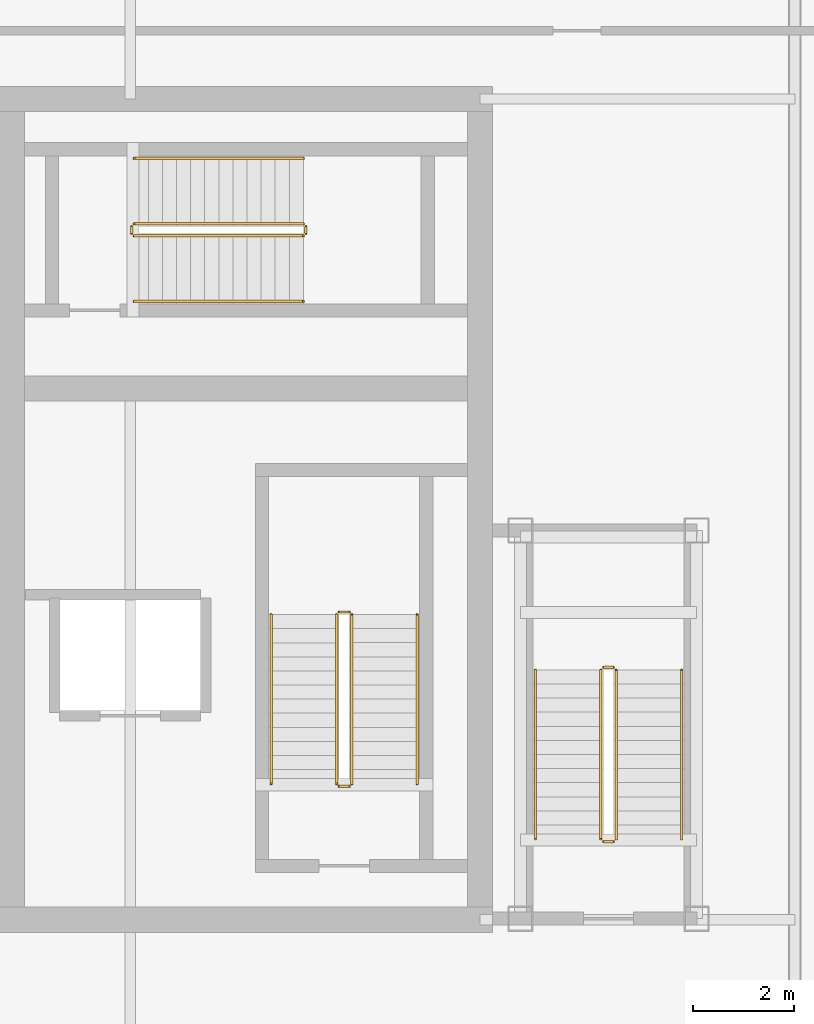
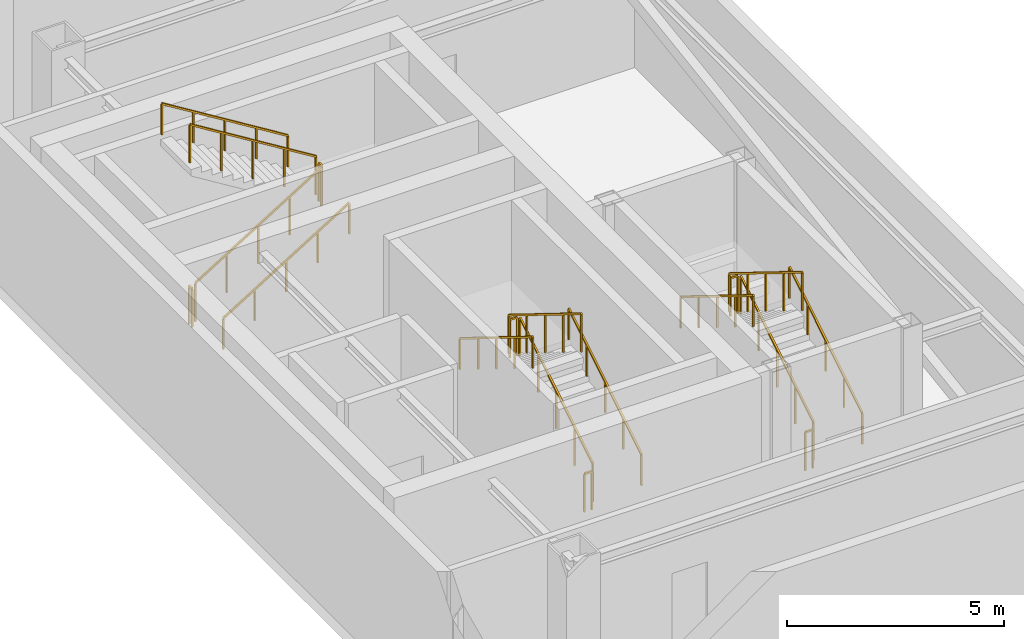
# One storey, part 6 of 6: 18 railings.
"""IFC4 building model written with IfcOpenShell, lengths in metres."""

from ifc_helpers import new_model, si_unit, direction, frame, origin, origin_2d, place, context, subcontext, project, spatial, rectangle, extrude, material, type_object, element, save


model = new_model("IFC4")

# Units and contexts
model_context = context("Model", 3, precision=1e-05, world=origin(), true_north=direction((0.0, 1.0)))
body_context = subcontext(model_context, "Body", "Model", "MODEL_VIEW")
ifc_project = project(units=[si_unit("LENGTHUNIT", "METRE"), si_unit("AREAUNIT", "SQUARE_METRE"), si_unit("VOLUMEUNIT", "CUBIC_METRE"), si_unit("PLANEANGLEUNIT", "RADIAN"), si_unit("MASSUNIT", "GRAM", prefix="KILO")], contexts=[model_context])

# Site, building, storey
site_placement = place(None, origin())
site = spatial("IfcSite", under=ifc_project, at=site_placement, CompositionType="ELEMENT")
building_placement = place(site_placement, origin())
building = spatial("IfcBuilding", under=site, at=building_placement, Name="Kiyonajd Concourse Tower", CompositionType="ELEMENT")
storey_placement = place(building_placement, frame((0.0, 0.0, 368.39990234375)))
storey = spatial("IfcBuildingStorey", under=building, at=storey_placement, Name="L92", CompositionType="ELEMENT", Elevation=368.39990234375)

# Railings
ifc_material_1 = material(Name="Steel ASTM A500 Grade C", Category="steel")
railing_type_1 = type_object("IfcRailingType", Name="RL-GRD-STR", PredefinedType="GUARDRAIL", material=ifc_material_1)
railing_1_placement = place(storey_placement, frame((60.800048828125, 30.550048828125, 0.173095703125)))
element("IfcRailing", 1, at=railing_1_placement, inside=storey, type_object=railing_type_1, Name="L92 ST2 stair guard 1", PredefinedType="GUARDRAIL", context=body_context, shape_type="SweptSolid", body=[
    extrude(rectangle(XDim=0.048095703125, YDim=0.048095703125, at=origin_2d()), frame((0.0, 0.0, 1.076171875), z_axis=(0.0, 0.850606129759, 0.525803396734), x_axis=(-1.0, 0.0, 0.0)), (0.0, 0.0, 1.0), 3.949951171875),
    extrude(rectangle(XDim=0.0419921875, YDim=0.0419921875, at=origin_2d()), origin(), (0.0, 0.0, 1.0), 1.052001953125),
    extrude(rectangle(XDim=0.0419921875, YDim=0.0419921875, at=origin_2d()), frame((0.0, 0.83984375, 0.519287109375)), (0.0, 0.0, 1.0), 1.052001953125),
    extrude(rectangle(XDim=0.0419921875, YDim=0.0419921875, at=origin_2d()), frame((0.0, 1.679931640625, 1.03857421875)), (0.0, 0.0, 1.0), 1.052001953125),
    extrude(rectangle(XDim=0.0419921875, YDim=0.0419921875, at=origin_2d()), frame((0.0, 2.52001953125, 1.5576171875)), (0.0, 0.0, 1.0), 1.052001953125),
    extrude(rectangle(XDim=0.0419921875, YDim=0.0419921875, at=origin_2d()), frame((0.0, 3.35986328125, 2.076904296875)), (0.0, 0.0, 1.0), 1.052001953125),
])
railing_2_placement = place(storey_placement, frame((60.75, 33.9599609375, 2.25)))
element("IfcRailing", 2, at=railing_2_placement, inside=storey, type_object=railing_type_1, Name="L92 ST2 stair guard 2", PredefinedType="GUARDRAIL", context=body_context, shape_type="SweptSolid", body=[
    extrude(rectangle(XDim=0.048095703125, YDim=0.048095703125, at=origin_2d()), frame((0.0, 0.0, 1.076171875), z_axis=(-1.0, 0.0, 0.0), x_axis=(0.0, -1.0, 0.0)), (0.0, 0.0, 1.0), 0.199951171875),
    extrude(rectangle(XDim=0.0419921875, YDim=0.0419921875, at=origin_2d()), origin(), (0.0, 0.0, 1.0), 1.052001953125),
    extrude(rectangle(XDim=0.0419921875, YDim=0.0419921875, at=origin_2d()), frame((-0.199951171875, 0.0, 0.0)), (0.0, 0.0, 1.0), 1.052001953125),
])
railing_3_placement = place(storey_placement, frame((60.5, 33.909912109375, 2.423095703125)))
element("IfcRailing", 3, at=railing_3_placement, inside=storey, type_object=railing_type_1, Name="L92 ST2 stair guard 3", PredefinedType="GUARDRAIL", context=body_context, shape_type="SweptSolid", body=[
    extrude(rectangle(XDim=0.048095703125, YDim=0.048095703125, at=origin_2d()), frame((0.0, 0.0, 1.076171875), z_axis=(0.0, -0.850606129759, 0.525803396734), x_axis=(1.0, 0.0, 0.0)), (0.0, 0.0, 1.0), 3.949951171875),
    extrude(rectangle(XDim=0.0419921875, YDim=0.0419921875, at=origin_2d()), origin(), (0.0, 0.0, 1.0), 1.052001953125),
    extrude(rectangle(XDim=0.0419921875, YDim=0.0419921875, at=origin_2d()), frame((0.0, -0.83984375, 0.519287109375)), (0.0, 0.0, 1.0), 1.052001953125),
    extrude(rectangle(XDim=0.0419921875, YDim=0.0419921875, at=origin_2d()), frame((0.0, -1.679931640625, 1.03857421875)), (0.0, 0.0, 1.0), 1.052001953125),
    extrude(rectangle(XDim=0.0419921875, YDim=0.0419921875, at=origin_2d()), frame((0.0, -2.52001953125, 1.5576171875)), (0.0, 0.0, 1.0), 1.052001953125),
    extrude(rectangle(XDim=0.0419921875, YDim=0.0419921875, at=origin_2d()), frame((0.0, -3.35986328125, 2.076904296875)), (0.0, 0.0, 1.0), 1.052001953125),
])
railing_4_placement = place(storey_placement, frame((60.75, 30.5, 0.0)))
element("IfcRailing", 4, at=railing_4_placement, inside=storey, type_object=railing_type_1, Name="L92 ST2 stair guard 4", PredefinedType="GUARDRAIL", context=body_context, shape_type="SweptSolid", body=[
    extrude(rectangle(XDim=0.048095703125, YDim=0.048095703125, at=origin_2d()), frame((0.0, 0.0, 1.076171875), z_axis=(-1.0, 0.0, 0.0), x_axis=(0.0, -1.0, 0.0)), (0.0, 0.0, 1.0), 0.199951171875),
    extrude(rectangle(XDim=0.0419921875, YDim=0.0419921875, at=origin_2d()), origin(), (0.0, 0.0, 1.0), 1.052001953125),
    extrude(rectangle(XDim=0.0419921875, YDim=0.0419921875, at=origin_2d()), frame((-0.199951171875, 0.0, 0.0)), (0.0, 0.0, 1.0), 1.052001953125),
])
railing_5_placement = place(storey_placement, frame((56.47998046875, 41.429931640625, 0.173095703125)))
element("IfcRailing", 5, at=railing_5_placement, inside=storey, type_object=railing_type_1, Name="L92 ST3 stair guard 1", PredefinedType="GUARDRAIL", context=body_context, shape_type="SweptSolid", body=[
    extrude(rectangle(XDim=0.048095703125, YDim=0.048095703125, at=origin_2d()), frame((0.0, 0.0, 1.076171875), z_axis=(0.850623216509, 0.0, 0.525775754039), x_axis=(0.0, 1.0, 0.0)), (0.0, 0.0, 1.0), 3.9501953125),
    extrude(rectangle(XDim=0.0419921875, YDim=0.0419921875, at=origin_2d()), origin(), (0.0, 0.0, 1.0), 1.052001953125),
    extrude(rectangle(XDim=0.0419921875, YDim=0.0419921875, at=origin_2d()), frame((0.840087890625, 0.0, 0.519287109375)), (0.0, 0.0, 1.0), 1.052001953125),
    extrude(rectangle(XDim=0.0419921875, YDim=0.0419921875, at=origin_2d()), frame((1.68017578125, 0.0, 1.03857421875)), (0.0, 0.0, 1.0), 1.052001953125),
    extrude(rectangle(XDim=0.0419921875, YDim=0.0419921875, at=origin_2d()), frame((2.52001953125, 0.0, 1.5576171875)), (0.0, 0.0, 1.0), 1.052001953125),
    extrude(rectangle(XDim=0.0419921875, YDim=0.0419921875, at=origin_2d()), frame((3.360107421875, 0.0, 2.076904296875)), (0.0, 0.0, 1.0), 1.052001953125),
])
railing_6_placement = place(storey_placement, frame((59.889892578125, 41.47998046875, 2.25)))
element("IfcRailing", 6, at=railing_6_placement, inside=storey, type_object=railing_type_1, Name="L92 ST3 stair guard 2", PredefinedType="GUARDRAIL", context=body_context, shape_type="SweptSolid", body=[
    extrude(rectangle(XDim=0.048095703125, YDim=0.048095703125, at=origin_2d()), frame((0.0, 0.0, 1.076171875), z_axis=(0.0, 1.0, 0.0), x_axis=(-1.0, 0.0, 0.0)), (0.0, 0.0, 1.0), 0.14013671875),
    extrude(rectangle(XDim=0.0419921875, YDim=0.0419921875, at=origin_2d()), origin(), (0.0, 0.0, 1.0), 1.052001953125),
    extrude(rectangle(XDim=0.0419921875, YDim=0.0419921875, at=origin_2d()), frame((0.0, 0.14013671875, 0.0)), (0.0, 0.0, 1.0), 1.052001953125),
])
railing_7_placement = place(storey_placement, frame((59.840087890625, 41.669921875, 2.423095703125)))
element("IfcRailing", 7, at=railing_7_placement, inside=storey, type_object=railing_type_1, Name="L92 ST3 stair guard 3", PredefinedType="GUARDRAIL", context=body_context, shape_type="SweptSolid", body=[
    extrude(rectangle(XDim=0.048095703125, YDim=0.048095703125, at=origin_2d()), frame((0.0, 0.0, 1.076171875), z_axis=(-0.850623216509, 0.0, 0.525775754039), x_axis=(0.0, -1.0, 0.0)), (0.0, 0.0, 1.0), 3.9501953125),
    extrude(rectangle(XDim=0.0419921875, YDim=0.0419921875, at=origin_2d()), origin(), (0.0, 0.0, 1.0), 1.052001953125),
    extrude(rectangle(XDim=0.0419921875, YDim=0.0419921875, at=origin_2d()), frame((-0.840087890625, 0.0, 0.519287109375)), (0.0, 0.0, 1.0), 1.052001953125),
    extrude(rectangle(XDim=0.0419921875, YDim=0.0419921875, at=origin_2d()), frame((-1.68017578125, 0.0, 1.03857421875)), (0.0, 0.0, 1.0), 1.052001953125),
    extrude(rectangle(XDim=0.0419921875, YDim=0.0419921875, at=origin_2d()), frame((-2.52001953125, 0.0, 1.5576171875)), (0.0, 0.0, 1.0), 1.052001953125),
    extrude(rectangle(XDim=0.0419921875, YDim=0.0419921875, at=origin_2d()), frame((-3.360107421875, 0.0, 2.076904296875)), (0.0, 0.0, 1.0), 1.052001953125),
])
railing_8_placement = place(storey_placement, frame((56.429931640625, 41.47998046875, 0.0)))
element("IfcRailing", 8, at=railing_8_placement, inside=storey, type_object=railing_type_1, Name="L92 ST3 stair guard 4", PredefinedType="GUARDRAIL", context=body_context, shape_type="SweptSolid", body=[
    extrude(rectangle(XDim=0.048095703125, YDim=0.048095703125, at=origin_2d()), frame((0.0, 0.0, 1.076171875), z_axis=(0.0, 1.0, 0.0), x_axis=(-1.0, 0.0, 0.0)), (0.0, 0.0, 1.0), 0.14013671875),
    extrude(rectangle(XDim=0.0419921875, YDim=0.0419921875, at=origin_2d()), origin(), (0.0, 0.0, 1.0), 1.052001953125),
    extrude(rectangle(XDim=0.0419921875, YDim=0.0419921875, at=origin_2d()), frame((0.0, 0.14013671875, 0.0)), (0.0, 0.0, 1.0), 1.052001953125),
])
railing_9_placement = place(storey_placement, frame((66.050048828125, 29.449951171875, 0.173095703125)))
element("IfcRailing", 9, at=railing_9_placement, inside=storey, type_object=railing_type_1, Name="L92 ST6 stair guard 1", PredefinedType="GUARDRAIL", context=body_context, shape_type="SweptSolid", body=[
    extrude(rectangle(XDim=0.048095703125, YDim=0.048095703125, at=origin_2d()), frame((0.0, 0.0, 1.076171875), z_axis=(0.0, 0.850623216509, 0.525775754039), x_axis=(-1.0, 0.0, 0.0)), (0.0, 0.0, 1.0), 3.9501953125),
    extrude(rectangle(XDim=0.0419921875, YDim=0.0419921875, at=origin_2d()), origin(), (0.0, 0.0, 1.0), 1.052001953125),
    extrude(rectangle(XDim=0.0419921875, YDim=0.0419921875, at=origin_2d()), frame((0.0, 0.840087890625, 0.519287109375)), (0.0, 0.0, 1.0), 1.052001953125),
    extrude(rectangle(XDim=0.0419921875, YDim=0.0419921875, at=origin_2d()), frame((0.0, 1.68017578125, 1.03857421875)), (0.0, 0.0, 1.0), 1.052001953125),
    extrude(rectangle(XDim=0.0419921875, YDim=0.0419921875, at=origin_2d()), frame((0.0, 2.52001953125, 1.5576171875)), (0.0, 0.0, 1.0), 1.052001953125),
    extrude(rectangle(XDim=0.0419921875, YDim=0.0419921875, at=origin_2d()), frame((0.0, 3.360107421875, 2.076904296875)), (0.0, 0.0, 1.0), 1.052001953125),
])
railing_10_placement = place(storey_placement, frame((66.0, 32.860107421875, 2.25)))
element("IfcRailing", 10, at=railing_10_placement, inside=storey, type_object=railing_type_1, Name="L92 ST6 stair guard 2", PredefinedType="GUARDRAIL", context=body_context, shape_type="SweptSolid", body=[
    extrude(rectangle(XDim=0.048095703125, YDim=0.048095703125, at=origin_2d()), frame((0.0, 0.0, 1.076171875), z_axis=(-1.0, 0.0, 0.0), x_axis=(0.0, -1.0, 0.0)), (0.0, 0.0, 1.0), 0.199951171875),
    extrude(rectangle(XDim=0.0419921875, YDim=0.0419921875, at=origin_2d()), origin(), (0.0, 0.0, 1.0), 1.052001953125),
    extrude(rectangle(XDim=0.0419921875, YDim=0.0419921875, at=origin_2d()), frame((-0.199951171875, 0.0, 0.0)), (0.0, 0.0, 1.0), 1.052001953125),
])
railing_11_placement = place(storey_placement, frame((65.75, 32.81005859375, 2.423095703125)))
element("IfcRailing", 11, at=railing_11_placement, inside=storey, type_object=railing_type_1, Name="L92 ST6 stair guard 3", PredefinedType="GUARDRAIL", context=body_context, shape_type="SweptSolid", body=[
    extrude(rectangle(XDim=0.048095703125, YDim=0.048095703125, at=origin_2d()), frame((0.0, 0.0, 1.076171875), z_axis=(0.0, -0.850623216509, 0.525775754039), x_axis=(1.0, 0.0, 0.0)), (0.0, 0.0, 1.0), 3.9501953125),
    extrude(rectangle(XDim=0.0419921875, YDim=0.0419921875, at=origin_2d()), origin(), (0.0, 0.0, 1.0), 1.052001953125),
    extrude(rectangle(XDim=0.0419921875, YDim=0.0419921875, at=origin_2d()), frame((0.0, -0.840087890625, 0.519287109375)), (0.0, 0.0, 1.0), 1.052001953125),
    extrude(rectangle(XDim=0.0419921875, YDim=0.0419921875, at=origin_2d()), frame((0.0, -1.68017578125, 1.03857421875)), (0.0, 0.0, 1.0), 1.052001953125),
    extrude(rectangle(XDim=0.0419921875, YDim=0.0419921875, at=origin_2d()), frame((0.0, -2.52001953125, 1.5576171875)), (0.0, 0.0, 1.0), 1.052001953125),
    extrude(rectangle(XDim=0.0419921875, YDim=0.0419921875, at=origin_2d()), frame((0.0, -3.360107421875, 2.076904296875)), (0.0, 0.0, 1.0), 1.052001953125),
])
railing_12_placement = place(storey_placement, frame((66.0, 29.39990234375, 0.0)))
element("IfcRailing", 12, at=railing_12_placement, inside=storey, type_object=railing_type_1, Name="L92 ST6 stair guard 4", PredefinedType="GUARDRAIL", context=body_context, shape_type="SweptSolid", body=[
    extrude(rectangle(XDim=0.048095703125, YDim=0.048095703125, at=origin_2d()), frame((0.0, 0.0, 1.076171875), z_axis=(-1.0, 0.0, 0.0), x_axis=(0.0, -1.0, 0.0)), (0.0, 0.0, 1.0), 0.199951171875),
    extrude(rectangle(XDim=0.0419921875, YDim=0.0419921875, at=origin_2d()), origin(), (0.0, 0.0, 1.0), 1.052001953125),
    extrude(rectangle(XDim=0.0419921875, YDim=0.0419921875, at=origin_2d()), frame((-0.199951171875, 0.0, 0.0)), (0.0, 0.0, 1.0), 1.052001953125),
])
ifc_material_2 = material(Name="Brushed Stainless Steel Cab Assembly", Category="steel")
railing_type_2 = type_object("IfcRailingType", Name="RL-HND-900", PredefinedType="HANDRAIL", material=ifc_material_2)
railing_13_placement = place(storey_placement, frame((62.10009765625, 30.550048828125, 0.173095703125)))
element("IfcRailing", 13, at=railing_13_placement, inside=storey, type_object=railing_type_2, Name="L92 ST2 stair handrail 1", PredefinedType="HANDRAIL", context=body_context, shape_type="SweptSolid", body=[
    extrude(rectangle(XDim=0.048095703125, YDim=0.048095703125, at=origin_2d()), frame((0.0, 0.0, 0.8759765625), z_axis=(0.0, 0.850606129759, 0.525803396734), x_axis=(-1.0, 0.0, 0.0)), (0.0, 0.0, 1.0), 3.949951171875),
    extrude(rectangle(XDim=0.0419921875, YDim=0.0419921875, at=origin_2d()), origin(), (0.0, 0.0, 1.0), 0.851806640625),
    extrude(rectangle(XDim=0.0419921875, YDim=0.0419921875, at=origin_2d()), frame((0.0, 0.83984375, 0.519287109375)), (0.0, 0.0, 1.0), 0.851806640625),
    extrude(rectangle(XDim=0.0419921875, YDim=0.0419921875, at=origin_2d()), frame((0.0, 1.679931640625, 1.03857421875)), (0.0, 0.0, 1.0), 0.851806640625),
    extrude(rectangle(XDim=0.0419921875, YDim=0.0419921875, at=origin_2d()), frame((0.0, 2.52001953125, 1.5576171875)), (0.0, 0.0, 1.0), 0.851806640625),
    extrude(rectangle(XDim=0.0419921875, YDim=0.0419921875, at=origin_2d()), frame((0.0, 3.35986328125, 2.076904296875)), (0.0, 0.0, 1.0), 0.851806640625),
])
railing_14_placement = place(storey_placement, frame((59.199951171875, 33.909912109375, 2.423095703125)))
element("IfcRailing", 14, at=railing_14_placement, inside=storey, type_object=railing_type_2, Name="L92 ST2 stair handrail 2", PredefinedType="HANDRAIL", context=body_context, shape_type="SweptSolid", body=[
    extrude(rectangle(XDim=0.048095703125, YDim=0.048095703125, at=origin_2d()), frame((0.0, 0.0, 0.8759765625), z_axis=(0.0, -0.850606129759, 0.525803396734), x_axis=(1.0, 0.0, 0.0)), (0.0, 0.0, 1.0), 3.949951171875),
    extrude(rectangle(XDim=0.0419921875, YDim=0.0419921875, at=origin_2d()), origin(), (0.0, 0.0, 1.0), 0.851806640625),
    extrude(rectangle(XDim=0.0419921875, YDim=0.0419921875, at=origin_2d()), frame((0.0, -0.83984375, 0.519287109375)), (0.0, 0.0, 1.0), 0.851806640625),
    extrude(rectangle(XDim=0.0419921875, YDim=0.0419921875, at=origin_2d()), frame((0.0, -1.679931640625, 1.03857421875)), (0.0, 0.0, 1.0), 0.851806640625),
    extrude(rectangle(XDim=0.0419921875, YDim=0.0419921875, at=origin_2d()), frame((0.0, -2.52001953125, 1.5576171875)), (0.0, 0.0, 1.0), 0.851806640625),
    extrude(rectangle(XDim=0.0419921875, YDim=0.0419921875, at=origin_2d()), frame((0.0, -3.35986328125, 2.076904296875)), (0.0, 0.0, 1.0), 0.851806640625),
])
railing_15_placement = place(storey_placement, frame((56.47998046875, 40.1298828125, 0.173095703125)))
element("IfcRailing", 15, at=railing_15_placement, inside=storey, type_object=railing_type_2, Name="L92 ST3 stair handrail 1", PredefinedType="HANDRAIL", context=body_context, shape_type="SweptSolid", body=[
    extrude(rectangle(XDim=0.048095703125, YDim=0.048095703125, at=origin_2d()), frame((0.0, 0.0, 0.8759765625), z_axis=(0.850623216509, 0.0, 0.525775754039), x_axis=(0.0, 1.0, 0.0)), (0.0, 0.0, 1.0), 3.9501953125),
    extrude(rectangle(XDim=0.0419921875, YDim=0.0419921875, at=origin_2d()), origin(), (0.0, 0.0, 1.0), 0.851806640625),
    extrude(rectangle(XDim=0.0419921875, YDim=0.0419921875, at=origin_2d()), frame((0.840087890625, 0.0, 0.519287109375)), (0.0, 0.0, 1.0), 0.851806640625),
    extrude(rectangle(XDim=0.0419921875, YDim=0.0419921875, at=origin_2d()), frame((1.68017578125, 0.0, 1.03857421875)), (0.0, 0.0, 1.0), 0.851806640625),
    extrude(rectangle(XDim=0.0419921875, YDim=0.0419921875, at=origin_2d()), frame((2.52001953125, 0.0, 1.5576171875)), (0.0, 0.0, 1.0), 0.851806640625),
    extrude(rectangle(XDim=0.0419921875, YDim=0.0419921875, at=origin_2d()), frame((3.360107421875, 0.0, 2.076904296875)), (0.0, 0.0, 1.0), 0.851806640625),
])
railing_16_placement = place(storey_placement, frame((59.840087890625, 42.969970703125, 2.423095703125)))
element("IfcRailing", 16, at=railing_16_placement, inside=storey, type_object=railing_type_2, Name="L92 ST3 stair handrail 2", PredefinedType="HANDRAIL", context=body_context, shape_type="SweptSolid", body=[
    extrude(rectangle(XDim=0.048095703125, YDim=0.048095703125, at=origin_2d()), frame((0.0, 0.0, 0.8759765625), z_axis=(-0.850623216509, 0.0, 0.525775754039), x_axis=(0.0, -1.0, 0.0)), (0.0, 0.0, 1.0), 3.9501953125),
    extrude(rectangle(XDim=0.0419921875, YDim=0.0419921875, at=origin_2d()), origin(), (0.0, 0.0, 1.0), 0.851806640625),
    extrude(rectangle(XDim=0.0419921875, YDim=0.0419921875, at=origin_2d()), frame((-0.840087890625, 0.0, 0.519287109375)), (0.0, 0.0, 1.0), 0.851806640625),
    extrude(rectangle(XDim=0.0419921875, YDim=0.0419921875, at=origin_2d()), frame((-1.68017578125, 0.0, 1.03857421875)), (0.0, 0.0, 1.0), 0.851806640625),
    extrude(rectangle(XDim=0.0419921875, YDim=0.0419921875, at=origin_2d()), frame((-2.52001953125, 0.0, 1.5576171875)), (0.0, 0.0, 1.0), 0.851806640625),
    extrude(rectangle(XDim=0.0419921875, YDim=0.0419921875, at=origin_2d()), frame((-3.360107421875, 0.0, 2.076904296875)), (0.0, 0.0, 1.0), 0.851806640625),
])
railing_17_placement = place(storey_placement, frame((67.35009765625, 29.449951171875, 0.173095703125)))
element("IfcRailing", 17, at=railing_17_placement, inside=storey, type_object=railing_type_2, Name="L92 ST6 stair handrail 1", PredefinedType="HANDRAIL", context=body_context, shape_type="SweptSolid", body=[
    extrude(rectangle(XDim=0.048095703125, YDim=0.048095703125, at=origin_2d()), frame((0.0, 0.0, 0.8759765625), z_axis=(0.0, 0.850623216509, 0.525775754039), x_axis=(-1.0, 0.0, 0.0)), (0.0, 0.0, 1.0), 3.9501953125),
    extrude(rectangle(XDim=0.0419921875, YDim=0.0419921875, at=origin_2d()), origin(), (0.0, 0.0, 1.0), 0.851806640625),
    extrude(rectangle(XDim=0.0419921875, YDim=0.0419921875, at=origin_2d()), frame((0.0, 0.840087890625, 0.519287109375)), (0.0, 0.0, 1.0), 0.851806640625),
    extrude(rectangle(XDim=0.0419921875, YDim=0.0419921875, at=origin_2d()), frame((0.0, 1.68017578125, 1.03857421875)), (0.0, 0.0, 1.0), 0.851806640625),
    extrude(rectangle(XDim=0.0419921875, YDim=0.0419921875, at=origin_2d()), frame((0.0, 2.52001953125, 1.5576171875)), (0.0, 0.0, 1.0), 0.851806640625),
    extrude(rectangle(XDim=0.0419921875, YDim=0.0419921875, at=origin_2d()), frame((0.0, 3.360107421875, 2.076904296875)), (0.0, 0.0, 1.0), 0.851806640625),
])
railing_18_placement = place(storey_placement, frame((64.449951171875, 32.81005859375, 2.423095703125)))
element("IfcRailing", 18, at=railing_18_placement, inside=storey, type_object=railing_type_2, Name="L92 ST6 stair handrail 2", PredefinedType="HANDRAIL", context=body_context, shape_type="SweptSolid", body=[
    extrude(rectangle(XDim=0.048095703125, YDim=0.048095703125, at=origin_2d()), frame((0.0, 0.0, 0.8759765625), z_axis=(0.0, -0.850623216509, 0.525775754039), x_axis=(1.0, 0.0, 0.0)), (0.0, 0.0, 1.0), 3.9501953125),
    extrude(rectangle(XDim=0.0419921875, YDim=0.0419921875, at=origin_2d()), origin(), (0.0, 0.0, 1.0), 0.851806640625),
    extrude(rectangle(XDim=0.0419921875, YDim=0.0419921875, at=origin_2d()), frame((0.0, -0.840087890625, 0.519287109375)), (0.0, 0.0, 1.0), 0.851806640625),
    extrude(rectangle(XDim=0.0419921875, YDim=0.0419921875, at=origin_2d()), frame((0.0, -1.68017578125, 1.03857421875)), (0.0, 0.0, 1.0), 0.851806640625),
    extrude(rectangle(XDim=0.0419921875, YDim=0.0419921875, at=origin_2d()), frame((0.0, -2.52001953125, 1.5576171875)), (0.0, 0.0, 1.0), 0.851806640625),
    extrude(rectangle(XDim=0.0419921875, YDim=0.0419921875, at=origin_2d()), frame((0.0, -3.360107421875, 2.076904296875)), (0.0, 0.0, 1.0), 0.851806640625),
])

save(model, "model.ifc")
